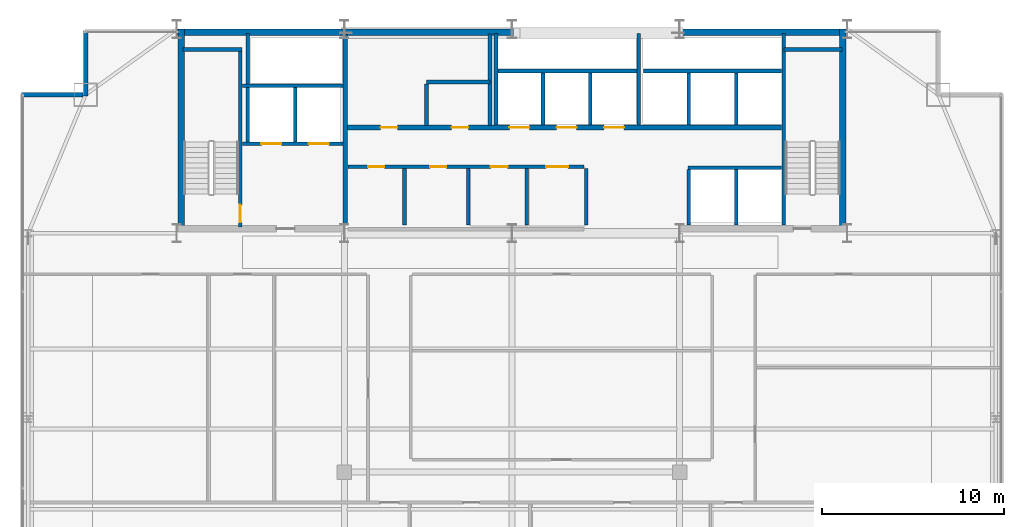
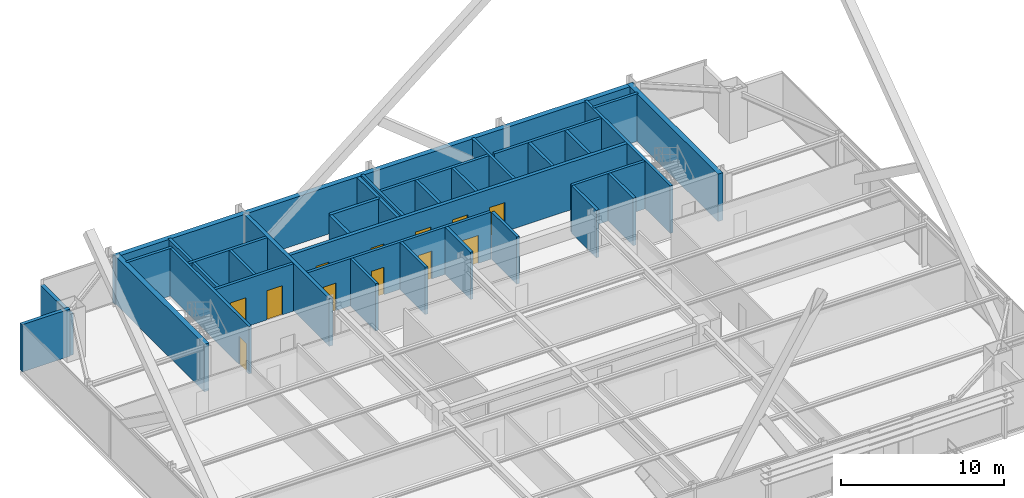
# One storey, part 31 of 34: 34 walls, 12 doors, 12 openings.
"""IFC4 building model written with IfcOpenShell, lengths in metres."""

from ifc_helpers import new_model, si_unit, direction, frame, frame_2d, origin, place, context, subcontext, project, spatial, rectangle, extrude, source, transform, mapped, material, layer, layer_set, type_object, type_shapes, element, fill, save


model = new_model("IFC4")

# Units and contexts
model_context = context("Model", 3, precision=1e-05, world=origin(), true_north=direction((0.0, 1.0)))
body_context = subcontext(model_context, "Body", "Model", "MODEL_VIEW")
ifc_project = project(units=[si_unit("LENGTHUNIT", "METRE"), si_unit("AREAUNIT", "SQUARE_METRE"), si_unit("VOLUMEUNIT", "CUBIC_METRE"), si_unit("PLANEANGLEUNIT", "RADIAN"), si_unit("MASSUNIT", "GRAM", prefix="KILO")], contexts=[model_context])

# Site, building, storey
site_placement = place(None, origin())
site = spatial("IfcSite", under=ifc_project, at=site_placement, CompositionType="ELEMENT")
building_placement = place(site_placement, origin())
building = spatial("IfcBuilding", under=site, at=building_placement, Name="Varnel Quay Broadcast Tower", CompositionType="ELEMENT")
storey_placement = place(building_placement, frame((0.0, 0.0, 176.199951171875)))
storey = spatial("IfcBuildingStorey", under=building, at=storey_placement, Name="L43", CompositionType="ELEMENT", Elevation=176.199951171875)

# Wall, opening, door
ifc_material_1 = material(Name="Concrete CSA A23.3 C50/60", Category="concrete")
ifc_layer_1 = layer(ifc_material_1, 0.199951171875, Name="Concrete CSA A23.3 C50/60")
ifc_layer_set_1 = layer_set([ifc_layer_1], Name="Concrete CSA A23.3 C50/60")
wall_type_1 = type_object("IfcWallType", Name="Wall_CoreShaftShear200", PredefinedType="SHEAR", material=ifc_layer_set_1)
wall_1_placement = place(storey_placement, frame((19.080078125, 35.949951171875, 0.0), z_axis=(0.0, 0.0, 1.0), x_axis=(0.0, 1.0, 0.0)))
wall_1 = element("IfcWall", 1, at=wall_1_placement, inside=storey, type_object=wall_type_1, Name="L43 Stair 1 East Structural Wall", PredefinedType="SHEAR", context=body_context, shape_type="SweptSolid", body=[
    extrude(rectangle(XDim=9.650146484375, YDim=0.199951171875, at=frame_2d((4.8251953125, 0.0))), origin(), (0.0, 0.0, 1.0), 3.550048828125),
])
opening_1_placement = place(wall_1_placement, frame((0.25, 0.0, 0.0)))
opening_1 = element("IfcOpeningElement", 2, at=opening_1_placement, cuts=wall_1, Name="Opening D-L43-S1", PredefinedType="OPENING", context=body_context, shape_type="SweptSolid", body=[
    extrude(rectangle(XDim=0.949951171875, YDim=2.10009765625, at=frame_2d((0.47509765625, 1.050048828125))), frame((0.0, 0.10986328125, 0.0), z_axis=(0.0, -1.0, 0.0), x_axis=(1.0, 0.0, 0.0)), (0.0, 0.0, 1.0), 0.219970703125),
])
ifc_material_2 = material(Name="Insulated Fire-Rated Hollow Steel Door", Category="steel")
door_type_1 = type_object("IfcDoorType", Name="Door_FireStair950", OperationType="NOTDEFINED", PredefinedType="DOOR", material=ifc_material_2)
shared_shape_1 = source(origin(), body_context, "Body", "SweptSolid", [
    extrude(rectangle(XDim=0.949951171875, YDim=2.10009765625, at=frame_2d((0.47509765625, 1.050048828125))), frame((0.0, 0.02490234375, 0.0), z_axis=(0.0, -1.0, 0.0), x_axis=(1.0, 0.0, 0.0)), (0.0, 0.0, 1.0), 0.050048828125),
])
type_shapes(door_type_1, [shared_shape_1])
door_1_placement = place(opening_1_placement, origin())
door_1 = element("IfcDoor", 3, at=door_1_placement, inside=storey, type_object=door_type_1, Name="L43 Stair 1 Fire Door", OperationType="SINGLE_SWING_RIGHT", OverallHeight=2.10009765625, OverallWidth=0.949951171875, PredefinedType="DOOR", context=body_context, shape_type="MappedRepresentation", body=[
    mapped(shared_shape_1, transform((0.0, 0.0, 0.0), x_axis=(1.0, 0.0, 0.0), y_axis=(0.0, 1.0, 0.0), z_axis=(0.0, 0.0, 1.0), scale=1.0)),
])
fill(opening_1, door_1)

# Wall
wall_2_placement = place(storey_placement, frame((15.949951171875, 45.679931640625, 0.0), z_axis=(0.0, 0.0, 1.0), x_axis=(1.0, 0.0, 0.0)))
element("IfcWall", 4, at=wall_2_placement, inside=storey, type_object=wall_type_1, Name="L43 Stair 1 North Structural Wall", PredefinedType="SHEAR", context=body_context, shape_type="SweptSolid", body=[
    extrude(rectangle(XDim=3.22998046875, YDim=0.199951171875, at=frame_2d((1.614990234375, 0.0))), origin(), (0.0, 0.0, 1.0), 3.550048828125),
])

# Wall, openings, doors
wall_3_placement = place(storey_placement, frame((19.199951171875, 40.5, 0.0), z_axis=(0.0, 0.0, 1.0), x_axis=(1.0, 0.0, 0.0)))
wall_3 = element("IfcWall", 5, at=wall_3_placement, inside=storey, type_object=wall_type_1, Name="L43 Firefighter Lift Shaft Front Wall", PredefinedType="SHEAR", context=body_context, shape_type="SweptSolid", body=[
    extrude(rectangle(XDim=5.52001953125, YDim=0.199951171875, at=frame_2d((2.760009765625, 0.0))), origin(), (0.0, 0.0, 1.0), 3.550048828125),
])
opening_2_placement = place(wall_3_placement, frame((1.050048828125, 0.0, 0.0)))
opening_2 = element("IfcOpeningElement", 6, at=opening_2_placement, cuts=wall_3, Name="Opening LD-L43-FE1", PredefinedType="OPENING", context=body_context, shape_type="SweptSolid", body=[
    extrude(rectangle(XDim=1.10009765625, YDim=2.179931640625, at=frame_2d((0.550048828125, 1.08984375))), frame((0.0, 0.10986328125, 0.0), z_axis=(0.0, -1.0, 0.0), x_axis=(1.0, 0.0, 0.0)), (0.0, 0.0, 1.0), 0.219970703125),
])
opening_3_placement = place(wall_3_placement, frame((3.64990234375, 0.0, 0.0)))
opening_3 = element("IfcOpeningElement", 7, at=opening_3_placement, cuts=wall_3, Name="Opening LD-L43-FE2", PredefinedType="OPENING", context=body_context, shape_type="SweptSolid", body=[
    extrude(rectangle(XDim=1.10009765625, YDim=2.179931640625, at=frame_2d((0.550048828125, 1.08984375))), frame((0.0, 0.10986328125, 0.0), z_axis=(0.0, -1.0, 0.0), x_axis=(1.0, 0.0, 0.0)), (0.0, 0.0, 1.0), 0.219970703125),
])
ifc_material_3 = material(Name="Brushed Bronze-Stainless Lift Car & Sliding Doors", Category="steel")
door_type_2 = type_object("IfcDoorType", Name="Door_LiftLanding1100", OperationType="SLIDING_TO_LEFT", PredefinedType="DOOR", material=ifc_material_3)
shared_shape_2 = source(origin(), body_context, "Body", "SweptSolid", [
    extrude(rectangle(XDim=1.10009765625, YDim=2.179931640625, at=frame_2d((0.550048828125, 1.08984375))), frame((0.0, 0.02490234375, 0.0), z_axis=(0.0, -1.0, 0.0), x_axis=(1.0, 0.0, 0.0)), (0.0, 0.0, 1.0), 0.050048828125),
])
type_shapes(door_type_2, [shared_shape_2])
door_2_placement = place(opening_2_placement, frame((1.10009765625, 0.0, 0.0), z_axis=(0.0, 0.0, 1.0), x_axis=(-1.0, 0.0, 0.0)))
door_2 = element("IfcDoor", 8, at=door_2_placement, inside=storey, type_object=door_type_2, Name="L43 Firefighter Lift FE-01 Landing Door", OperationType="SLIDING_TO_LEFT", OverallHeight=2.179931640625, OverallWidth=1.10009765625, PredefinedType="DOOR", context=body_context, shape_type="MappedRepresentation", body=[
    mapped(shared_shape_2, transform((0.0, 0.0, 0.0), x_axis=(1.0, 0.0, 0.0), y_axis=(0.0, 1.0, 0.0), z_axis=(0.0, 0.0, 1.0), scale=1.0)),
])
fill(opening_2, door_2)
door_3_placement = place(opening_3_placement, frame((1.10009765625, 0.0, 0.0), z_axis=(0.0, 0.0, 1.0), x_axis=(-1.0, 0.0, 0.0)))
door_3 = element("IfcDoor", 9, at=door_3_placement, inside=storey, type_object=door_type_2, Name="L43 Firefighter Lift FE-02 Landing Door", OperationType="SLIDING_TO_RIGHT", OverallHeight=2.179931640625, OverallWidth=1.10009765625, PredefinedType="DOOR", context=body_context, shape_type="MappedRepresentation", body=[
    mapped(shared_shape_2, transform((0.0, 0.0, 0.0), x_axis=(1.0, 0.0, 0.0), y_axis=(0.0, 1.0, 0.0), z_axis=(0.0, 0.0, 1.0), scale=1.0)),
])
fill(opening_3, door_3)

# Walls
wall_4_placement = place(storey_placement, frame((19.199951171875, 43.699951171875, 0.0), z_axis=(0.0, 0.0, 1.0), x_axis=(1.0, 0.0, 0.0)))
element("IfcWall", 10, at=wall_4_placement, inside=storey, type_object=wall_type_1, Name="L43 Firefighter Lift Shaft Rear Wall", PredefinedType="SHEAR", context=body_context, shape_type="SweptSolid", body=[
    extrude(rectangle(XDim=5.52001953125, YDim=0.199951171875, at=frame_2d((2.760009765625, 0.0))), origin(), (0.0, 0.0, 1.0), 3.550048828125),
])
wall_5_placement = place(storey_placement, frame((22.10009765625, 40.60009765625, 0.0), z_axis=(0.0, 0.0, 1.0), x_axis=(0.0, 1.0, 0.0)))
element("IfcWall", 11, at=wall_5_placement, inside=storey, type_object=wall_type_1, Name="L43 Firefighter Lift Shaft Divider", PredefinedType="SHEAR", context=body_context, shape_type="SweptSolid", body=[
    extrude(rectangle(XDim=3.0, YDim=0.199951171875, at=frame_2d((1.5, 0.0))), origin(), (0.0, 0.0, 1.0), 3.550048828125),
])
wall_6_placement = place(storey_placement, frame((19.5, 40.60009765625, 0.0), z_axis=(0.0, 0.0, 1.0), x_axis=(0.0, 1.0, 0.0)))
element("IfcWall", 12, at=wall_6_placement, inside=storey, type_object=wall_type_1, Name="L43 Firefighter Lift Shaft West Wall", PredefinedType="SHEAR", context=body_context, shape_type="SweptSolid", body=[
    extrude(rectangle(XDim=5.949951171875, YDim=0.199951171875, at=frame_2d((2.97509765625, 0.0))), origin(), (0.0, 0.0, 1.0), 3.550048828125),
])
wall_7_placement = place(storey_placement, frame((48.919921875, 36.050048828125, 0.0), z_axis=(0.0, 0.0, 1.0), x_axis=(0.0, 1.0, 0.0)))
element("IfcWall", 13, at=wall_7_placement, inside=storey, type_object=wall_type_1, Name="L43 Stair 2 West Structural Wall", PredefinedType="SHEAR", context=body_context, shape_type="SweptSolid", body=[
    extrude(rectangle(XDim=10.5, YDim=0.199951171875, at=frame_2d((5.25, 0.0))), origin(), (0.0, 0.0, 1.0), 3.550048828125),
])
wall_8_placement = place(storey_placement, frame((48.919921875, 45.679931640625, 0.0), z_axis=(0.0, 0.0, 1.0), x_axis=(1.0, 0.0, 0.0)))
element("IfcWall", 14, at=wall_8_placement, inside=storey, type_object=wall_type_1, Name="L43 Stair 2 North Structural Wall", PredefinedType="SHEAR", context=body_context, shape_type="SweptSolid", body=[
    extrude(rectangle(XDim=3.18017578125, YDim=0.199951171875, at=frame_2d((1.590087890625, 0.0))), origin(), (0.0, 0.0, 1.0), 3.550048828125),
])
wall_9_placement = place(storey_placement, frame((33.219970703125, 44.5, 0.0), z_axis=(0.0, 0.0, 1.0), x_axis=(1.0, 0.0, 0.0)))
element("IfcWall", 15, at=wall_9_placement, inside=storey, type_object=wall_type_1, Name="L43 Mid-Rise Lift Shaft Rear Wall", PredefinedType="SHEAR", context=body_context, shape_type="SweptSolid", body=[
    extrude(rectangle(XDim=7.630126953125, YDim=0.199951171875, at=frame_2d((3.81494140625, 0.0))), origin(), (0.0, 0.0, 1.0), 3.550048828125),
])
wall_10_placement = place(storey_placement, frame((33.1201171875, 41.530029296875, 0.0), z_axis=(0.0, 0.0, 1.0), x_axis=(0.0, 1.0, 0.0)))
element("IfcWall", 16, at=wall_10_placement, inside=storey, type_object=wall_type_1, Name="L43 Mid-Rise Lift Shaft Divider 1", PredefinedType="SHEAR", context=body_context, shape_type="SweptSolid", body=[
    extrude(rectangle(XDim=5.02001953125, YDim=0.199951171875, at=frame_2d((2.510009765625, 0.0))), origin(), (0.0, 0.0, 1.0), 3.550048828125),
])
for number, where, z_axis, x_axis, name in (
    (17, (35.699951171875, 41.530029296875, 0.0), (0.0, 0.0, 1.0), (0.0, 1.0, 0.0), "L43 Mid-Rise Lift Shaft Divider 2"),
    (18, (38.300048828125, 41.530029296875, 0.0), (0.0, 0.0, 1.0), (0.0, 1.0, 0.0), "L43 Mid-Rise Lift Shaft Divider 3"),
):
    element("IfcWall", number, at=place(storey_placement, frame(where, z_axis=z_axis, x_axis=x_axis)), inside=storey, type_object=wall_type_1, Name=name, PredefinedType="SHEAR", context=body_context, shape_type="SweptSolid", body=[
        extrude(rectangle(XDim=2.869873046875, YDim=0.199951171875, at=frame_2d((1.43505859375, 0.0))), origin(), (0.0, 0.0, 1.0), 3.550048828125),
    ])
wall_11_placement = place(storey_placement, frame((40.949951171875, 41.530029296875, 0.0), z_axis=(0.0, 0.0, 1.0), x_axis=(0.0, 1.0, 0.0)))
element("IfcWall", 19, at=wall_11_placement, inside=storey, type_object=wall_type_1, Name="L43 Mid-Rise Lift Shaft Divider 4", PredefinedType="SHEAR", context=body_context, shape_type="SweptSolid", body=[
    extrude(rectangle(XDim=5.02001953125, YDim=0.199951171875, at=frame_2d((2.510009765625, 0.0))), origin(), (0.0, 0.0, 1.0), 3.550048828125),
])
wall_12_placement = place(storey_placement, frame((41.219970703125, 44.5, 0.0), z_axis=(0.0, 0.0, 1.0), x_axis=(1.0, 0.0, 0.0)))
element("IfcWall", 20, at=wall_12_placement, inside=storey, type_object=wall_type_1, Name="L43 High-Rise Lift Shaft Rear Wall", PredefinedType="SHEAR", context=body_context, shape_type="SweptSolid", body=[
    extrude(rectangle(XDim=7.580078125, YDim=0.199951171875, at=frame_2d((3.7900390625, 0.0))), origin(), (0.0, 0.0, 1.0), 3.550048828125),
])
for number, where, z_axis, x_axis, name in (
    (21, (43.699951171875, 41.530029296875, 0.0), (0.0, 0.0, 1.0), (0.0, 1.0, 0.0), "L43 High-Rise Lift Shaft Divider 2"),
    (22, (46.300048828125, 41.530029296875, 0.0), (0.0, 0.0, 1.0), (0.0, 1.0, 0.0), "L43 High-Rise Lift Shaft Divider 3"),
):
    element("IfcWall", number, at=place(storey_placement, frame(where, z_axis=z_axis, x_axis=x_axis)), inside=storey, type_object=wall_type_1, Name=name, PredefinedType="SHEAR", context=body_context, shape_type="SweptSolid", body=[
        extrude(rectangle(XDim=2.869873046875, YDim=0.199951171875, at=frame_2d((1.43505859375, 0.0))), origin(), (0.0, 0.0, 1.0), 3.550048828125),
    ])
for number, where, z_axis, x_axis, name in (
    (23, (43.699951171875, 36.050048828125, 0.0), (0.0, 0.0, 1.0), (0.0, 1.0, 0.0), "L43 Express Lift Shaft West Wall"),
    (24, (46.300048828125, 36.050048828125, 0.0), (0.0, 0.0, 1.0), (0.0, 1.0, 0.0), "L43 Express Lift Shaft Divider"),
):
    element("IfcWall", number, at=place(storey_placement, frame(where, z_axis=z_axis, x_axis=x_axis)), inside=storey, type_object=wall_type_1, Name=name, PredefinedType="SHEAR", context=body_context, shape_type="SweptSolid", body=[
        extrude(rectangle(XDim=3.050048828125, YDim=0.199951171875, at=frame_2d((1.52490234375, 0.0))), origin(), (0.0, 0.0, 1.0), 3.550048828125),
    ])
wall_13_placement = place(storey_placement, frame((43.64990234375, 39.199951171875, 0.0), z_axis=(0.0, 0.0, 1.0), x_axis=(1.0, 0.0, 0.0)))
element("IfcWall", 25, at=wall_13_placement, inside=storey, type_object=wall_type_1, Name="L43 Express Lift Shaft North Front Wall", PredefinedType="SHEAR", context=body_context, shape_type="SweptSolid", body=[
    extrude(rectangle(XDim=5.150146484375, YDim=0.199951171875, at=frame_2d((2.5751953125, 0.0))), origin(), (0.0, 0.0, 1.0), 3.550048828125),
])
ifc_layer_2 = layer(ifc_material_1, 0.25, Name="Concrete CSA A23.3 C50/60")
ifc_layer_set_2 = layer_set([ifc_layer_2], Name="Concrete CSA A23.3 C50/60")
wall_type_2 = type_object("IfcWallType", Name="Wall_CoreShaftShear250", PredefinedType="SHEAR", material=ifc_layer_set_2)
wall_14_placement = place(storey_placement, frame((24.85009765625, 36.050048828125, 0.0), z_axis=(0.0, 0.0, 1.0), x_axis=(0.0, 1.0, 0.0)))
element("IfcWall", 26, at=wall_14_placement, inside=storey, type_object=wall_type_2, Name="L43 Firefighting Lobby East Structural Wall", PredefinedType="SHEAR", context=body_context, shape_type="SweptSolid", body=[
    extrude(rectangle(XDim=10.449951171875, YDim=0.25, at=frame_2d((5.22509765625, 0.0))), origin(), (0.0, 0.0, 1.0), 3.550048828125),
])

# Wall, openings, doors
wall_15_placement = place(storey_placement, frame((24.97998046875, 41.39990234375, 0.0), z_axis=(0.0, 0.0, 1.0), x_axis=(1.0, 0.0, 0.0)))
wall_15 = element("IfcWall", 27, at=wall_15_placement, inside=storey, type_object=wall_type_2, Name="L43 North Lift Bank & Reclaimed Suite Wall", PredefinedType="SHEAR", context=body_context, shape_type="SweptSolid", body=[
    extrude(rectangle(XDim=23.820068359375, YDim=0.25, at=frame_2d((11.91015625, 0.0))), origin(), (0.0, 0.0, 1.0), 3.550048828125),
])
opening_4_placement = place(wall_15_placement, frame((8.8701171875, 0.0, 0.0)))
opening_4 = element("IfcOpeningElement", 28, at=opening_4_placement, cuts=wall_15, Name="Opening LD-L43-PM-01", PredefinedType="OPENING", context=body_context, shape_type="SweptSolid", body=[
    extrude(rectangle(XDim=1.10009765625, YDim=2.179931640625, at=frame_2d((0.550048828125, 1.08984375))), frame((0.0, 0.135009765625, 0.0), z_axis=(0.0, -1.0, 0.0), x_axis=(1.0, 0.0, 0.0)), (0.0, 0.0, 1.0), 0.27001953125),
])
opening_5_placement = place(wall_15_placement, frame((11.469970703125, 0.0, 0.0)))
opening_5 = element("IfcOpeningElement", 29, at=opening_5_placement, cuts=wall_15, Name="Opening LD-L43-PM-02", PredefinedType="OPENING", context=body_context, shape_type="SweptSolid", body=[
    extrude(rectangle(XDim=1.10009765625, YDim=2.179931640625, at=frame_2d((0.550048828125, 1.08984375))), frame((0.0, 0.135009765625, 0.0), z_axis=(0.0, -1.0, 0.0), x_axis=(1.0, 0.0, 0.0)), (0.0, 0.0, 1.0), 0.27001953125),
])
opening_6_placement = place(wall_15_placement, frame((14.070068359375, 0.0, 0.0)))
opening_6 = element("IfcOpeningElement", 30, at=opening_6_placement, cuts=wall_15, Name="Opening LD-L43-PM-03", PredefinedType="OPENING", context=body_context, shape_type="SweptSolid", body=[
    extrude(rectangle(XDim=1.10009765625, YDim=2.179931640625, at=frame_2d((0.550048828125, 1.08984375))), frame((0.0, 0.135009765625, 0.0), z_axis=(0.0, -1.0, 0.0), x_axis=(1.0, 0.0, 0.0)), (0.0, 0.0, 1.0), 0.27001953125),
])
opening_7_placement = place(wall_15_placement, frame((1.81005859375, 0.0, 0.0)))
opening_7 = element("IfcOpeningElement", 31, at=opening_7_placement, cuts=wall_15, Name="Opening D-L43-RECA1", PredefinedType="OPENING", context=body_context, shape_type="SweptSolid", body=[
    extrude(rectangle(XDim=0.919921875, YDim=2.080078125, at=frame_2d((0.4599609375, 1.0400390625))), frame((0.0, 0.135009765625, 0.0), z_axis=(0.0, -1.0, 0.0), x_axis=(1.0, 0.0, 0.0)), (0.0, 0.0, 1.0), 0.27001953125),
])
opening_8_placement = place(wall_15_placement, frame((5.7099609375, 0.0, 0.0)))
opening_8 = element("IfcOpeningElement", 32, at=opening_8_placement, cuts=wall_15, Name="Opening D-L43-RECA2", PredefinedType="OPENING", context=body_context, shape_type="SweptSolid", body=[
    extrude(rectangle(XDim=0.919921875, YDim=2.080078125, at=frame_2d((0.4599609375, 1.0400390625))), frame((0.0, 0.135009765625, 0.0), z_axis=(0.0, -1.0, 0.0), x_axis=(1.0, 0.0, 0.0)), (0.0, 0.0, 1.0), 0.27001953125),
])
door_4_placement = place(opening_4_placement, frame((1.10009765625, 0.0, 0.0), z_axis=(0.0, 0.0, 1.0), x_axis=(-1.0, 0.0, 0.0)))
door_4 = element("IfcDoor", 33, at=door_4_placement, inside=storey, type_object=door_type_2, Name="L43 Lift PM-01 Landing Door", OperationType="SLIDING_TO_LEFT", OverallHeight=2.179931640625, OverallWidth=1.10009765625, PredefinedType="DOOR", context=body_context, shape_type="MappedRepresentation", body=[
    mapped(shared_shape_2, transform((0.0, 0.0, 0.0), x_axis=(1.0, 0.0, 0.0), y_axis=(0.0, 1.0, 0.0), z_axis=(0.0, 0.0, 1.0), scale=1.0)),
])
fill(opening_4, door_4)
door_5_placement = place(opening_5_placement, frame((1.10009765625, 0.0, 0.0), z_axis=(0.0, 0.0, 1.0), x_axis=(-1.0, 0.0, 0.0)))
door_5 = element("IfcDoor", 34, at=door_5_placement, inside=storey, type_object=door_type_2, Name="L43 Lift PM-02 Landing Door", OperationType="SLIDING_TO_LEFT", OverallHeight=2.179931640625, OverallWidth=1.10009765625, PredefinedType="DOOR", context=body_context, shape_type="MappedRepresentation", body=[
    mapped(shared_shape_2, transform((0.0, 0.0, 0.0), x_axis=(1.0, 0.0, 0.0), y_axis=(0.0, 1.0, 0.0), z_axis=(0.0, 0.0, 1.0), scale=1.0)),
])
fill(opening_5, door_5)
door_6_placement = place(opening_6_placement, frame((1.10009765625, 0.0, 0.0), z_axis=(0.0, 0.0, 1.0), x_axis=(-1.0, 0.0, 0.0)))
door_6 = element("IfcDoor", 35, at=door_6_placement, inside=storey, type_object=door_type_2, Name="L43 Lift PM-03 Landing Door", OperationType="SLIDING_TO_LEFT", OverallHeight=2.179931640625, OverallWidth=1.10009765625, PredefinedType="DOOR", context=body_context, shape_type="MappedRepresentation", body=[
    mapped(shared_shape_2, transform((0.0, 0.0, 0.0), x_axis=(1.0, 0.0, 0.0), y_axis=(0.0, 1.0, 0.0), z_axis=(0.0, 0.0, 1.0), scale=1.0)),
])
fill(opening_6, door_6)
ifc_material_4 = material(Name="Solid-Core Fire-Rated Acoustic Oak Veneer Door", Category="wood")
door_type_3 = type_object("IfcDoorType", Name="Door_Office920", OperationType="NOTDEFINED", PredefinedType="DOOR", material=ifc_material_4)
shared_shape_3 = source(origin(), body_context, "Body", "SweptSolid", [
    extrude(rectangle(XDim=0.919921875, YDim=2.080078125, at=frame_2d((0.4599609375, 1.0400390625))), frame((0.0, 0.02490234375, 0.0), z_axis=(0.0, -1.0, 0.0), x_axis=(1.0, 0.0, 0.0)), (0.0, 0.0, 1.0), 0.050048828125),
])
type_shapes(door_type_3, [shared_shape_3])
door_7_placement = place(opening_7_placement, origin())
door_7 = element("IfcDoor", 36, at=door_7_placement, inside=storey, type_object=door_type_3, Name="L43 Signal Routing Suite Door", OperationType="SINGLE_SWING_LEFT", OverallHeight=2.080078125, OverallWidth=0.919921875, PredefinedType="DOOR", context=body_context, shape_type="MappedRepresentation", body=[
    mapped(shared_shape_3, transform((0.0, 0.0, 0.0), x_axis=(1.0, 0.0, 0.0), y_axis=(0.0, 1.0, 0.0), z_axis=(0.0, 0.0, 1.0), scale=1.0)),
])
fill(opening_7, door_7)
door_8_placement = place(opening_8_placement, origin())
door_8 = element("IfcDoor", 37, at=door_8_placement, inside=storey, type_object=door_type_3, Name="L43 Archive Media Store Door", OperationType="SINGLE_SWING_RIGHT", OverallHeight=2.080078125, OverallWidth=0.919921875, PredefinedType="DOOR", context=body_context, shape_type="MappedRepresentation", body=[
    mapped(shared_shape_3, transform((0.0, 0.0, 0.0), x_axis=(1.0, 0.0, 0.0), y_axis=(0.0, 1.0, 0.0), z_axis=(0.0, 0.0, 1.0), scale=1.0)),
])
fill(opening_8, door_8)

# Walls
ifc_layer_3 = layer(ifc_material_1, 0.35009765625, Name="Concrete CSA A23.3 C50/60")
ifc_layer_set_3 = layer_set([ifc_layer_3], Name="Concrete CSA A23.3 C50/60")
wall_type_3 = type_object("IfcWallType", Name="Wall_CoreShearExt350", PredefinedType="SHEAR", material=ifc_layer_set_3)
wall_16_placement = place(storey_placement, frame((15.60009765625, 46.625, 0.0), z_axis=(0.0, 0.0, 1.0), x_axis=(1.0, 0.0, 0.0)))
element("IfcWall", 38, at=wall_16_placement, inside=storey, type_object=wall_type_3, Name="L43 North Core Shear Wall", PredefinedType="SHEAR", context=body_context, shape_type="SweptSolid", body=[
    extrude(rectangle(XDim=36.7998046875, YDim=0.35009765625, at=frame_2d((18.39990234375, 0.0))), origin(), (0.0, 0.0, 1.0), 3.550048828125),
])
ifc_layer_4 = layer(ifc_material_1, 0.35009765625, Name="Concrete CSA A23.3 C50/60")
ifc_layer_set_4 = layer_set([ifc_layer_4], Name="Concrete CSA A23.3 C50/60")
wall_type_4 = type_object("IfcWallType", Name="Wall_CoreShearInt350", PredefinedType="SHEAR", material=ifc_layer_set_4)
for number, where, z_axis, x_axis, name in (
    (39, (15.844970703125, 35.669921875, 0.0), (0.0, 0.0, 1.0), (0.0, 1.0, 0.0), "L43 West Core Shear Wall"),
    (40, (52.155029296875, 35.669921875, 0.0), (0.0, 0.0, 1.0), (0.0, 1.0, 0.0), "L43 East Core Shear Wall"),
):
    element("IfcWall", number, at=place(storey_placement, frame(where, z_axis=z_axis, x_axis=x_axis)), inside=storey, type_object=wall_type_4, Name=name, PredefinedType="SHEAR", context=body_context, shape_type="SweptSolid", body=[
        extrude(rectangle(XDim=11.130126953125, YDim=0.35009765625, at=frame_2d((5.56494140625, 0.0))), origin(), (0.0, 0.0, 1.0), 3.550048828125),
    ])
ifc_material_5 = material(Name="Precast Architectural Concrete C40/50", Category="concrete")
ifc_layer_5 = layer(ifc_material_5, 0.25, Name="Precast Architectural Concrete C40/50")
ifc_layer_set_5 = layer_set([ifc_layer_5], Name="Precast Architectural Concrete C40/50")
wall_type_5 = type_object("IfcWallType", Name="Wall_ExtTerrace250", PredefinedType="SOLIDWALL", material=ifc_layer_set_5)
wall_17_placement = place(storey_placement, frame((7.080078125, 43.199951171875, 0.0), z_axis=(0.0, 0.0, 1.0), x_axis=(1.0, 0.0, 0.0)))
element("IfcWall", 41, at=wall_17_placement, inside=storey, type_object=wall_type_5, Name="L43 Mega-Column Notch Cladding Wall NNW1", PredefinedType="SOLIDWALL", context=body_context, shape_type="SweptSolid", body=[
    extrude(rectangle(XDim=3.389892578125, YDim=0.25, at=frame_2d((1.69482421875, 0.0))), origin(), (0.0, 0.0, 1.0), 3.530029296875),
])
wall_18_placement = place(storey_placement, frame((10.60009765625, 43.1201171875, 0.0), z_axis=(0.0, 0.0, 1.0), x_axis=(0.0, 1.0, 0.0)))
element("IfcWall", 42, at=wall_18_placement, inside=storey, type_object=wall_type_5, Name="L43 Mega-Column Notch Cladding Wall NNW2", PredefinedType="SOLIDWALL", context=body_context, shape_type="SweptSolid", body=[
    extrude(rectangle(XDim=3.599853515625, YDim=0.25, at=frame_2d((1.7998046875, 0.0))), origin(), (0.0, 0.0, 1.0), 3.108154296875),
])

# Wall, openings, doors
ifc_material_6 = material(Name="Concrete Blockwork Fire Enclosure C40/50", Category="masonry")
ifc_layer_6 = layer(ifc_material_6, 0.199951171875, Name="Concrete Blockwork Fire Enclosure C40/50")
ifc_layer_set_6 = layer_set([ifc_layer_6], Name="Concrete Blockwork Fire Enclosure C40/50")
wall_type_6 = type_object("IfcWallType", Name="Wall_FireShaft200", PredefinedType="SOLIDWALL", material=ifc_layer_set_6)
wall_19_placement = place(storey_placement, frame((25.0, 39.25, 0.0), z_axis=(0.0, 0.0, 1.0), x_axis=(1.0, 0.0, 0.0)))
wall_19 = element("IfcWall", 43, at=wall_19_placement, inside=storey, type_object=wall_type_6, Name="L43 Accessible Universal Washroom Partition 3", PredefinedType="SOLIDWALL", context=body_context, shape_type="SweptSolid", body=[
    extrude(rectangle(XDim=12.949951171875, YDim=0.199951171875, at=frame_2d((6.47509765625, 0.0))), origin(), (0.0, 0.0, 1.0), 3.530029296875),
])
opening_9_placement = place(wall_19_placement, frame((1.10009765625, 0.0, 0.0)))
opening_9 = element("IfcOpeningElement", 44, at=opening_9_placement, cuts=wall_19, Name="Opening D-L43-01", PredefinedType="OPENING", context=body_context, shape_type="SweptSolid", body=[
    extrude(rectangle(XDim=0.89990234375, YDim=2.06005859375, at=frame_2d((0.449951171875, 1.030029296875))), frame((0.0, 0.10986328125, 0.0), z_axis=(0.0, -1.0, 0.0), x_axis=(1.0, 0.0, 0.0)), (0.0, 0.0, 1.0), 0.219970703125),
])
opening_10_placement = place(wall_19_placement, frame((4.5, 0.0, 0.0)))
opening_10 = element("IfcOpeningElement", 45, at=opening_10_placement, cuts=wall_19, Name="Opening D-L43-02", PredefinedType="OPENING", context=body_context, shape_type="SweptSolid", body=[
    extrude(rectangle(XDim=0.89990234375, YDim=2.06005859375, at=frame_2d((0.449951171875, 1.030029296875))), frame((0.0, 0.10986328125, 0.0), z_axis=(0.0, -1.0, 0.0), x_axis=(1.0, 0.0, 0.0)), (0.0, 0.0, 1.0), 0.219970703125),
])
opening_11_placement = place(wall_19_placement, frame((7.840087890625, 0.0, 0.0)))
opening_11 = element("IfcOpeningElement", 46, at=opening_11_placement, cuts=wall_19, Name="Opening D-L43-03", PredefinedType="OPENING", context=body_context, shape_type="SweptSolid", body=[
    extrude(rectangle(XDim=0.919921875, YDim=2.080078125, at=frame_2d((0.4599609375, 1.0400390625))), frame((0.0, 0.10986328125, 0.0), z_axis=(0.0, -1.0, 0.0), x_axis=(1.0, 0.0, 0.0)), (0.0, 0.0, 1.0), 0.219970703125),
])
opening_12_placement = place(wall_19_placement, frame((10.875, 0.0, 0.0)))
opening_12 = element("IfcOpeningElement", 47, at=opening_12_placement, cuts=wall_19, Name="Opening D-L43-04", PredefinedType="OPENING", context=body_context, shape_type="SweptSolid", body=[
    extrude(rectangle(XDim=1.199951171875, YDim=2.10009765625, at=frame_2d((0.60009765625, 1.050048828125))), frame((0.0, 0.10986328125, 0.0), z_axis=(0.0, -1.0, 0.0), x_axis=(1.0, 0.0, 0.0)), (0.0, 0.0, 1.0), 0.219970703125),
])
door_type_4 = type_object("IfcDoorType", Name="Door_Washroom900", OperationType="NOTDEFINED", PredefinedType="DOOR", material=ifc_material_4)
shared_shape_4 = source(origin(), body_context, "Body", "SweptSolid", [
    extrude(rectangle(XDim=0.89990234375, YDim=2.06005859375, at=frame_2d((0.449951171875, 1.030029296875))), frame((0.0, 0.02490234375, 0.0), z_axis=(0.0, -1.0, 0.0), x_axis=(1.0, 0.0, 0.0)), (0.0, 0.0, 1.0), 0.050048828125),
])
type_shapes(door_type_4, [shared_shape_4])
door_9_placement = place(opening_9_placement, frame((0.89990234375, 0.0, 0.0), z_axis=(0.0, 0.0, 1.0), x_axis=(-1.0, 0.0, 0.0)))
door_9 = element("IfcDoor", 48, at=door_9_placement, inside=storey, type_object=door_type_4, Name="L43 Accessible Universal Washroom Door D-L43-01", OperationType="SINGLE_SWING_LEFT", OverallHeight=2.06005859375, OverallWidth=0.89990234375, PredefinedType="DOOR", context=body_context, shape_type="MappedRepresentation", body=[
    mapped(shared_shape_4, transform((0.0, 0.0, 0.0), x_axis=(1.0, 0.0, 0.0), y_axis=(0.0, 1.0, 0.0), z_axis=(0.0, 0.0, 1.0), scale=1.0)),
])
fill(opening_9, door_9)
door_10_placement = place(opening_10_placement, frame((0.89990234375, 0.0, 0.0), z_axis=(0.0, 0.0, 1.0), x_axis=(-1.0, 0.0, 0.0)))
door_10 = element("IfcDoor", 49, at=door_10_placement, inside=storey, type_object=door_type_4, Name="L43 Staff Washroom Block Door D-L43-02", OperationType="SINGLE_SWING_RIGHT", OverallHeight=2.06005859375, OverallWidth=0.89990234375, PredefinedType="DOOR", context=body_context, shape_type="MappedRepresentation", body=[
    mapped(shared_shape_4, transform((0.0, 0.0, 0.0), x_axis=(1.0, 0.0, 0.0), y_axis=(0.0, 1.0, 0.0), z_axis=(0.0, 0.0, 1.0), scale=1.0)),
])
fill(opening_10, door_10)
door_type_5 = type_object("IfcDoorType", Name="Door_Plant1200", OperationType="NOTDEFINED", PredefinedType="DOOR", material=ifc_material_2)
shared_shape_5 = source(origin(), body_context, "Body", "SweptSolid", [
    extrude(rectangle(XDim=1.199951171875, YDim=2.10009765625, at=frame_2d((0.60009765625, 1.050048828125))), frame((0.0, 0.02490234375, 0.0), z_axis=(0.0, -1.0, 0.0), x_axis=(1.0, 0.0, 0.0)), (0.0, 0.0, 1.0), 0.050048828125),
])
type_shapes(door_type_5, [shared_shape_5])
door_11_placement = place(opening_12_placement, origin())
door_11 = element("IfcDoor", 50, at=door_11_placement, inside=storey, type_object=door_type_5, Name="L43 Zone Lighting Dimmer Room Door D-L43-04", OperationType="SINGLE_SWING_RIGHT", OverallHeight=2.10009765625, OverallWidth=1.199951171875, PredefinedType="DOOR", context=body_context, shape_type="MappedRepresentation", body=[
    mapped(shared_shape_5, transform((0.0, 0.0, 0.0), x_axis=(1.0, 0.0, 0.0), y_axis=(0.0, 1.0, 0.0), z_axis=(0.0, 0.0, 1.0), scale=1.0)),
])
fill(opening_12, door_11)
door_12_placement = place(opening_11_placement, frame((0.919921875, 0.0, 0.0), z_axis=(0.0, 0.0, 1.0), x_axis=(-1.0, 0.0, 0.0)))
door_12 = element("IfcDoor", 51, at=door_12_placement, inside=storey, type_object=door_type_3, Name="L43 Broadcast First-Aid & Quiet Room Door D-L43-03", OperationType="SINGLE_SWING_LEFT", OverallHeight=2.080078125, OverallWidth=0.919921875, PredefinedType="DOOR", context=body_context, shape_type="MappedRepresentation", body=[
    mapped(shared_shape_3, transform((0.0, 0.0, 0.0), x_axis=(1.0, 0.0, 0.0), y_axis=(0.0, 1.0, 0.0), z_axis=(0.0, 0.0, 1.0), scale=1.0)),
])
fill(opening_11, door_12)

# Walls
for number, where, z_axis, x_axis, name in (
    (52, (34.800048828125, 36.050048828125, 0.0), (0.0, 0.0, 1.0), (0.0, 1.0, 0.0), "L43 Broadcast First-Aid & Quiet Room Partition 5"),
    (53, (38.074951171875, 36.050048828125, 0.0), (0.0, 0.0, 1.0), (0.0, 1.0, 0.0), "L43 Zone Lighting Dimmer Room Partition 6"),
):
    element("IfcWall", number, at=place(storey_placement, frame(where, z_axis=z_axis, x_axis=x_axis)), inside=storey, type_object=wall_type_6, Name=name, PredefinedType="SOLIDWALL", context=body_context, shape_type="SweptSolid", body=[
        extrude(rectangle(XDim=3.099853515625, YDim=0.199951171875, at=frame_2d((1.5498046875, 0.0))), origin(), (0.0, 0.0, 1.0), 3.530029296875),
    ])
ifc_material_7 = material(Name="Steel-Stud Fire-Rated Acoustic Gypsum Partition Assembly", Category="steel")
ifc_layer_7 = layer(ifc_material_7, 0.22509765625, Name="Steel-Stud Fire-Rated Acoustic Gypsum Partition Assembly")
ifc_layer_set_7 = layer_set([ifc_layer_7], Name="Steel-Stud Fire-Rated Acoustic Gypsum Partition Assembly")
wall_type_7 = type_object("IfcWallType", Name="Wall_Partition225", PredefinedType="PARTITIONING", material=ifc_layer_set_7)
wall_20_placement = place(storey_placement, frame((29.300048828125, 41.5, 0.0), z_axis=(0.0, 0.0, 1.0), x_axis=(0.0, 1.0, 0.0)))
element("IfcWall", 54, at=wall_20_placement, inside=storey, type_object=wall_type_7, Name="L43 Signal Routing Suite Partition 23", PredefinedType="PARTITIONING", context=body_context, shape_type="SweptSolid", body=[
    extrude(rectangle(XDim=2.2880859375, YDim=0.22509765625, at=frame_2d((1.14404296875, 0.0))), origin(), (0.0, 0.0, 1.0), 3.530029296875),
])
wall_21_placement = place(storey_placement, frame((29.300048828125, 43.89990234375, 0.0), z_axis=(0.0, 0.0, 1.0), x_axis=(1.0, 0.0, 0.0)))
element("IfcWall", 55, at=wall_21_placement, inside=storey, type_object=wall_type_7, Name="L43 Signal Routing Suite Partition 24", PredefinedType="PARTITIONING", context=body_context, shape_type="SweptSolid", body=[
    extrude(rectangle(XDim=3.5, YDim=0.22509765625, at=frame_2d((1.75, 0.0))), origin(), (0.0, 0.0, 1.0), 3.530029296875),
])
wall_22_placement = place(storey_placement, frame((32.800048828125, 41.5, 0.0), z_axis=(0.0, 0.0, 1.0), x_axis=(0.0, 1.0, 0.0)))
element("IfcWall", 56, at=wall_22_placement, inside=storey, type_object=wall_type_7, Name="L43 Signal Routing Suite Partition 25", PredefinedType="PARTITIONING", context=body_context, shape_type="SweptSolid", body=[
    extrude(rectangle(XDim=5.02001953125, YDim=0.22509765625, at=frame_2d((2.510009765625, 0.0))), origin(), (0.0, 0.0, 1.0), 3.530029296875),
])
ifc_material_8 = material(Name="Fire-Rated Moisture-Resistant Plumbing Chase Partition")
ifc_layer_8 = layer(ifc_material_8, 0.199951171875, Name="Fire-Rated Moisture-Resistant Plumbing Chase Partition")
ifc_layer_set_8 = layer_set([ifc_layer_8], Name="Fire-Rated Moisture-Resistant Plumbing Chase Partition")
wall_type_8 = type_object("IfcWallType", Name="Wall_Plumbing200", PredefinedType="PLUMBINGWALL", material=ifc_layer_set_8)
for number, where, z_axis, x_axis, name in (
    (57, (28.10009765625, 36.050048828125, 0.0), (0.0, 0.0, 1.0), (0.0, 1.0, 0.0), "L43 Accessible Universal Washroom Partition 2"),
    (58, (31.60009765625, 36.050048828125, 0.0), (0.0, 0.0, 1.0), (0.0, 1.0, 0.0), "L43 Staff Washroom Block Partition 4"),
):
    element("IfcWall", number, at=place(storey_placement, frame(where, z_axis=z_axis, x_axis=x_axis)), inside=storey, type_object=wall_type_8, Name=name, PredefinedType="PLUMBINGWALL", context=body_context, shape_type="SweptSolid", body=[
        extrude(rectangle(XDim=3.099853515625, YDim=0.199951171875, at=frame_2d((1.5498046875, 0.0))), origin(), (0.0, 0.0, 1.0), 3.530029296875),
    ])

save(model, "model.ifc")
